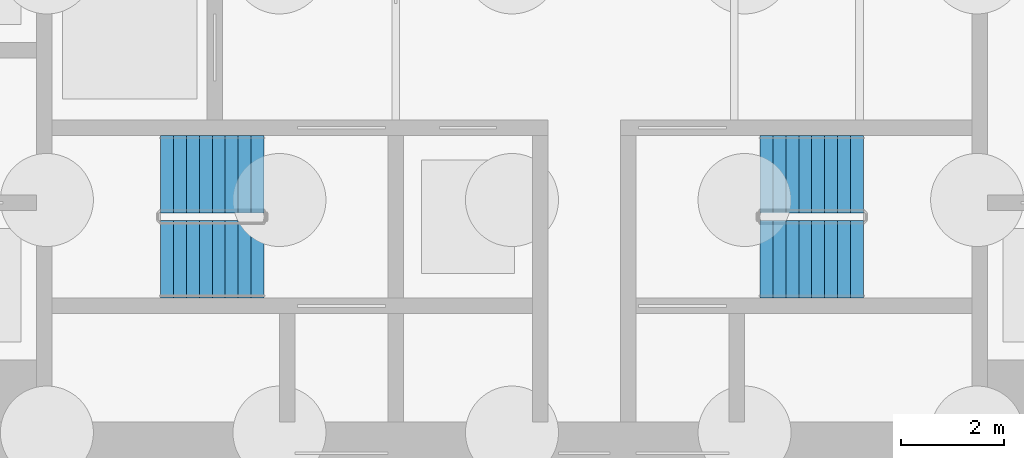
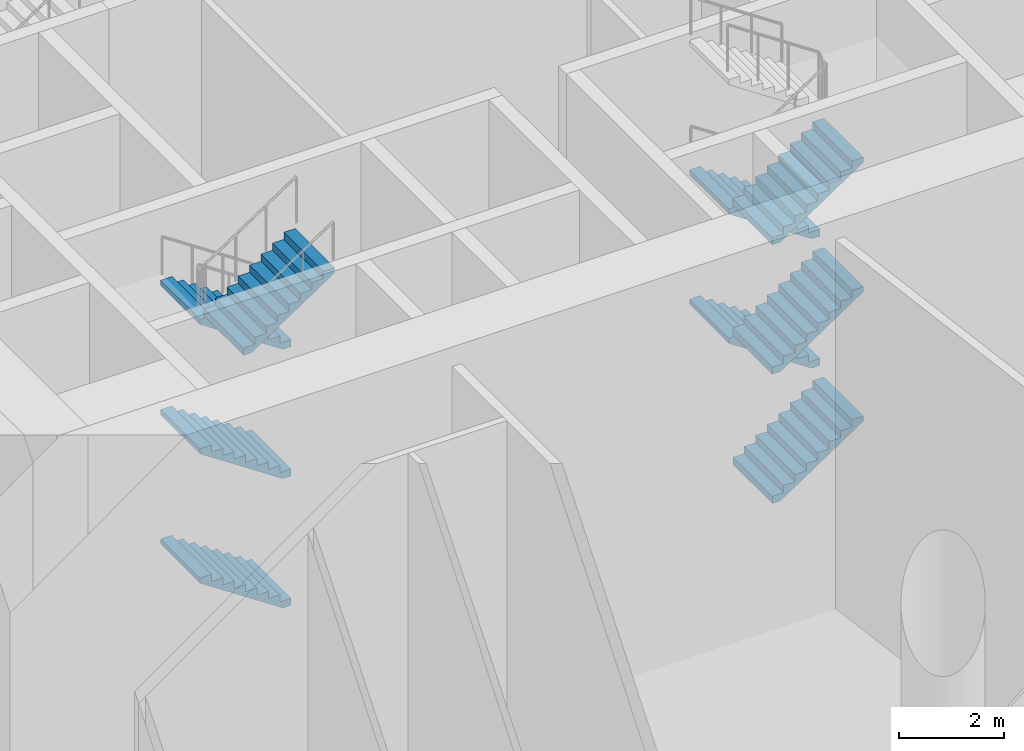
# One storey, part 16 of 20: 9 stair flights, 2 elements without a shape of their own.
"""IFC4 building model written with IfcOpenShell, lengths in metres."""

from ifc_helpers import new_model, si_unit, direction, frame, origin, place, context, subcontext, project, spatial, polyline, outline, extrude, material, type_object, element, aggregate, save


model = new_model("IFC4")

# Units and contexts
model_context = context("Model", 3, precision=1e-05, world=origin(), true_north=direction((0.0, 1.0)))
body_context = subcontext(model_context, "Body", "Model", "MODEL_VIEW")
ifc_project = project(units=[si_unit("LENGTHUNIT", "METRE"), si_unit("AREAUNIT", "SQUARE_METRE"), si_unit("VOLUMEUNIT", "CUBIC_METRE"), si_unit("PLANEANGLEUNIT", "RADIAN"), si_unit("MASSUNIT", "GRAM", prefix="KILO")], contexts=[model_context])

# Site, building, storey
site_placement = place(None, origin())
site = spatial("IfcSite", under=ifc_project, at=site_placement, CompositionType="ELEMENT")
building_placement = place(site_placement, origin())
building = spatial("IfcBuilding", under=site, at=building_placement, Name="Tracery Tower", CompositionType="ELEMENT")
storey_placement = place(building_placement, origin())
storey = spatial("IfcBuildingStorey", under=building, at=storey_placement, Name="L00", CompositionType="ELEMENT", Elevation=0.0)

# Stair, stair flights
ifc_material_1 = material(Name="Concrete C32/40", Category="concrete")
stair_type = type_object("IfcStairType", Name="Core stair 54 risers", PredefinedType="HALF_TURN_STAIR", material=ifc_material_1)
stair_1_placement = place(storey_placement, origin())
stair_1 = element("IfcStair", 1, at=stair_1_placement, inside=storey, type_object=stair_type, Name="L00 stair ST1", PredefinedType="HALF_TURN_STAIR")
ifc_material_2 = material(Name="Concrete C32/40", Category="concrete")
stair_flight_type = type_object("IfcStairFlightType", Name="Core stair flight 9 risers", PredefinedType="STRAIGHT", material=ifc_material_2)
stair_flight_1_placement = place(storey_placement, frame((-4.800048828125, -4.0, 0.0), z_axis=(0.0, 0.0, 1.0), x_axis=(-1.0, 0.0, 0.0)))
stair_flight_1 = element("IfcStairFlight", 2, at=stair_flight_1_placement, type_object=stair_flight_type, Name="ST1 flight 1", NumberOfRisers=9, NumberOfTreads=8, PredefinedType="STRAIGHT", RiserHeight=0.166666667, TreadLength=0.25, context=body_context, shape_type="SweptSolid", body=[
    extrude(outline(polyline([(0.0, 0.0), (0.0, 0.002685546875), (0.0, 0.00537109375), (0.0, 0.00830078125), (0.0, 0.010986328125), (0.0, 0.013671875), (0.0, 0.016357421875), (0.0, 0.01904296875), (0.0, 0.02197265625), (0.0, 0.024658203125), (0.0, 0.02734375), (0.0, 0.030029296875), (0.0, 0.03271484375), (0.0, 0.035400390625), (0.0, 0.038330078125), (0.0, 0.041015625), (0.0, 0.043701171875), (0.0, 0.04638671875), (0.0, 0.049072265625), (0.0, 0.052001953125), (0.0, 0.0546875), (0.0, 0.057373046875), (0.0, 0.06005859375), (0.0, 0.062744140625), (0.0, 0.065673828125), (0.0, 0.068359375), (0.0, 0.071044921875), (0.0, 0.07373046875), (0.0, 0.076416015625), (0.0, 0.079345703125), (0.0, 0.08203125), (0.0, 0.084716796875), (0.0, 0.08740234375), (0.0, 0.090087890625), (0.0, 0.093017578125), (0.0, 0.095703125), (0.0, 0.098388671875), (0.0, 0.10107421875), (0.0, 0.103759765625), (0.0, 0.1064453125), (0.0, 0.109375), (0.0, 0.112060546875), (0.0, 0.11474609375), (0.0, 0.117431640625), (0.0, 0.1201171875), (0.0, 0.123046875), (0.0, 0.125732421875), (0.0, 0.12841796875), (0.0, 0.131103515625), (0.0, 0.1337890625), (0.0, 0.13671875), (0.0, 0.139404296875), (0.0, 0.14208984375), (0.0, 0.144775390625), (0.0, 0.1474609375), (0.0, 0.150390625), (0.0, 0.153076171875), (0.0, 0.15576171875), (0.0, 0.158447265625), (0.0, 0.1611328125), (0.0, 0.163818359375), (0.0, 0.166748046875), (0.25, 0.166748046875), (0.25, 0.333251953125), (0.5, 0.333251953125), (0.5, 0.5), (0.75, 0.5), (0.75, 0.666748046875), (1.0, 0.666748046875), (1.0, 0.833251953125), (1.25, 0.833251953125), (1.25, 1.0), (1.5, 1.0), (1.5, 1.166748046875), (1.75, 1.166748046875), (1.75, 1.333251953125), (2.0, 1.333251953125), (2.0, 1.331298828125), (2.0, 1.329345703125), (2.0, 1.327392578125), (2.0, 1.325439453125), (2.0, 1.323486328125), (2.0, 1.321533203125), (2.0, 1.319580078125), (2.0, 1.317626953125), (2.0, 1.315673828125), (2.0, 1.313720703125), (2.0, 1.3115234375), (2.0, 1.3095703125), (2.0, 1.3076171875), (2.0, 1.3056640625), (2.0, 1.3037109375), (2.0, 1.3017578125), (2.0, 1.2998046875), (2.0, 1.2978515625), (2.0, 1.2958984375), (2.0, 1.2939453125), (2.0, 1.2919921875), (2.0, 1.2900390625), (2.0, 1.2880859375), (2.0, 1.285888671875), (2.0, 1.283935546875), (2.0, 1.281982421875), (2.0, 1.280029296875), (2.0, 1.278076171875), (2.0, 1.276123046875), (2.0, 1.274169921875), (2.0, 1.272216796875), (2.0, 1.270263671875), (2.0, 1.268310546875), (2.0, 1.266357421875), (2.0, 1.264404296875), (2.0, 1.262451171875), (2.0, 1.26025390625), (2.0, 1.25830078125), (2.0, 1.25634765625), (2.0, 1.25439453125), (2.0, 1.25244140625), (2.0, 1.25048828125), (2.0, 1.24853515625), (2.0, 1.24658203125), (2.0, 1.24462890625), (2.0, 1.24267578125), (2.0, 1.24072265625), (2.0, 1.23876953125), (2.0, 1.23681640625), (2.0, 1.234619140625), (2.0, 1.232666015625), (2.0, 1.230712890625), (2.0, 1.228759765625), (2.0, 1.226806640625), (2.0, 1.224853515625), (2.0, 1.222900390625), (2.0, 1.220947265625), (2.0, 1.218994140625), (2.0, 1.217041015625), (2.0, 1.215087890625), (2.0, 1.213134765625), (0.180419921875, 0.0), (0.0, 0.0)])), frame((0.0, 0.75, 0.0), z_axis=(0.0, -1.0, 0.0), x_axis=(1.0, 0.0, 0.0)), (0.0, 0.0, 1.0), 1.5),
])
stair_flight_2_placement = place(storey_placement, frame((-4.800048828125, -4.0, 3.0), z_axis=(0.0, 0.0, 1.0), x_axis=(-1.0, 0.0, 0.0)))
stair_flight_2 = element("IfcStairFlight", 3, at=stair_flight_2_placement, type_object=stair_flight_type, Name="ST1 flight 3", NumberOfRisers=9, NumberOfTreads=8, PredefinedType="STRAIGHT", RiserHeight=0.166666667, TreadLength=0.25, context=body_context, shape_type="SweptSolid", body=[
    extrude(outline(polyline([(0.0, 0.0), (0.0, 0.002685546875), (0.0, 0.00537109375), (0.0, 0.00830078125), (0.0, 0.010986328125), (0.0, 0.013671875), (0.0, 0.016357421875), (0.0, 0.01904296875), (0.0, 0.02197265625), (0.0, 0.024658203125), (0.0, 0.02734375), (0.0, 0.030029296875), (0.0, 0.03271484375), (0.0, 0.035400390625), (0.0, 0.038330078125), (0.0, 0.041015625), (0.0, 0.043701171875), (0.0, 0.04638671875), (0.0, 0.049072265625), (0.0, 0.052001953125), (0.0, 0.0546875), (0.0, 0.057373046875), (0.0, 0.06005859375), (0.0, 0.062744140625), (0.0, 0.065673828125), (0.0, 0.068359375), (0.0, 0.071044921875), (0.0, 0.07373046875), (0.0, 0.076416015625), (0.0, 0.079345703125), (0.0, 0.08203125), (0.0, 0.084716796875), (0.0, 0.08740234375), (0.0, 0.090087890625), (0.0, 0.093017578125), (0.0, 0.095703125), (0.0, 0.098388671875), (0.0, 0.10107421875), (0.0, 0.103759765625), (0.0, 0.1064453125), (0.0, 0.109375), (0.0, 0.112060546875), (0.0, 0.11474609375), (0.0, 0.117431640625), (0.0, 0.1201171875), (0.0, 0.123046875), (0.0, 0.125732421875), (0.0, 0.12841796875), (0.0, 0.131103515625), (0.0, 0.1337890625), (0.0, 0.13671875), (0.0, 0.139404296875), (0.0, 0.14208984375), (0.0, 0.144775390625), (0.0, 0.1474609375), (0.0, 0.150390625), (0.0, 0.153076171875), (0.0, 0.15576171875), (0.0, 0.158447265625), (0.0, 0.1611328125), (0.0, 0.163818359375), (0.0, 0.166748046875), (0.25, 0.166748046875), (0.25, 0.333251953125), (0.5, 0.333251953125), (0.5, 0.5), (0.75, 0.5), (0.75, 0.666748046875), (1.0, 0.666748046875), (1.0, 0.833251953125), (1.25, 0.833251953125), (1.25, 1.0), (1.5, 1.0), (1.5, 1.166748046875), (1.75, 1.166748046875), (1.75, 1.333251953125), (2.0, 1.333251953125), (2.0, 1.331298828125), (2.0, 1.329345703125), (2.0, 1.327392578125), (2.0, 1.325439453125), (2.0, 1.323486328125), (2.0, 1.321533203125), (2.0, 1.319580078125), (2.0, 1.317626953125), (2.0, 1.315673828125), (2.0, 1.313720703125), (2.0, 1.3115234375), (2.0, 1.3095703125), (2.0, 1.3076171875), (2.0, 1.3056640625), (2.0, 1.3037109375), (2.0, 1.3017578125), (2.0, 1.2998046875), (2.0, 1.2978515625), (2.0, 1.2958984375), (2.0, 1.2939453125), (2.0, 1.2919921875), (2.0, 1.2900390625), (2.0, 1.2880859375), (2.0, 1.285888671875), (2.0, 1.283935546875), (2.0, 1.281982421875), (2.0, 1.280029296875), (2.0, 1.278076171875), (2.0, 1.276123046875), (2.0, 1.274169921875), (2.0, 1.272216796875), (2.0, 1.270263671875), (2.0, 1.268310546875), (2.0, 1.266357421875), (2.0, 1.264404296875), (2.0, 1.262451171875), (2.0, 1.26025390625), (2.0, 1.25830078125), (2.0, 1.25634765625), (2.0, 1.25439453125), (2.0, 1.25244140625), (2.0, 1.25048828125), (2.0, 1.24853515625), (2.0, 1.24658203125), (2.0, 1.24462890625), (2.0, 1.24267578125), (2.0, 1.24072265625), (2.0, 1.23876953125), (2.0, 1.23681640625), (2.0, 1.234619140625), (2.0, 1.232666015625), (2.0, 1.230712890625), (2.0, 1.228759765625), (2.0, 1.226806640625), (2.0, 1.224853515625), (2.0, 1.222900390625), (2.0, 1.220947265625), (2.0, 1.218994140625), (2.0, 1.217041015625), (2.0, 1.215087890625), (2.0, 1.213134765625), (0.180419921875, 0.0), (0.0, 0.0)])), frame((0.0, 0.75, 0.0), z_axis=(0.0, -1.0, 0.0), x_axis=(1.0, 0.0, 0.0)), (0.0, 0.0, 1.0), 1.5),
])
stair_flight_3_placement = place(storey_placement, frame((-4.800048828125, -4.0, 6.0), z_axis=(0.0, 0.0, 1.0), x_axis=(-1.0, 0.0, 0.0)))
stair_flight_3 = element("IfcStairFlight", 4, at=stair_flight_3_placement, type_object=stair_flight_type, Name="ST1 flight 5", NumberOfRisers=9, NumberOfTreads=8, PredefinedType="STRAIGHT", RiserHeight=0.166666667, TreadLength=0.25, context=body_context, shape_type="SweptSolid", body=[
    extrude(outline(polyline([(0.0, 0.0), (0.0, 0.002685546875), (0.0, 0.00537109375), (0.0, 0.00830078125), (0.0, 0.010986328125), (0.0, 0.013671875), (0.0, 0.016357421875), (0.0, 0.01904296875), (0.0, 0.02197265625), (0.0, 0.024658203125), (0.0, 0.02734375), (0.0, 0.030029296875), (0.0, 0.03271484375), (0.0, 0.035400390625), (0.0, 0.038330078125), (0.0, 0.041015625), (0.0, 0.043701171875), (0.0, 0.04638671875), (0.0, 0.049072265625), (0.0, 0.052001953125), (0.0, 0.0546875), (0.0, 0.057373046875), (0.0, 0.06005859375), (0.0, 0.062744140625), (0.0, 0.065673828125), (0.0, 0.068359375), (0.0, 0.071044921875), (0.0, 0.07373046875), (0.0, 0.076416015625), (0.0, 0.079345703125), (0.0, 0.08203125), (0.0, 0.084716796875), (0.0, 0.08740234375), (0.0, 0.090087890625), (0.0, 0.093017578125), (0.0, 0.095703125), (0.0, 0.098388671875), (0.0, 0.10107421875), (0.0, 0.103759765625), (0.0, 0.1064453125), (0.0, 0.109375), (0.0, 0.112060546875), (0.0, 0.11474609375), (0.0, 0.117431640625), (0.0, 0.1201171875), (0.0, 0.123046875), (0.0, 0.125732421875), (0.0, 0.12841796875), (0.0, 0.131103515625), (0.0, 0.1337890625), (0.0, 0.13671875), (0.0, 0.139404296875), (0.0, 0.14208984375), (0.0, 0.144775390625), (0.0, 0.1474609375), (0.0, 0.150390625), (0.0, 0.153076171875), (0.0, 0.15576171875), (0.0, 0.158447265625), (0.0, 0.1611328125), (0.0, 0.163818359375), (0.0, 0.166748046875), (0.25, 0.166748046875), (0.25, 0.333251953125), (0.5, 0.333251953125), (0.5, 0.5), (0.75, 0.5), (0.75, 0.666748046875), (1.0, 0.666748046875), (1.0, 0.833251953125), (1.25, 0.833251953125), (1.25, 1.0), (1.5, 1.0), (1.5, 1.166748046875), (1.75, 1.166748046875), (1.75, 1.333251953125), (2.0, 1.333251953125), (2.0, 1.331298828125), (2.0, 1.329345703125), (2.0, 1.327392578125), (2.0, 1.325439453125), (2.0, 1.323486328125), (2.0, 1.321533203125), (2.0, 1.319580078125), (2.0, 1.317626953125), (2.0, 1.315673828125), (2.0, 1.313720703125), (2.0, 1.3115234375), (2.0, 1.3095703125), (2.0, 1.3076171875), (2.0, 1.3056640625), (2.0, 1.3037109375), (2.0, 1.3017578125), (2.0, 1.2998046875), (2.0, 1.2978515625), (2.0, 1.2958984375), (2.0, 1.2939453125), (2.0, 1.2919921875), (2.0, 1.2900390625), (2.0, 1.2880859375), (2.0, 1.285888671875), (2.0, 1.283935546875), (2.0, 1.281982421875), (2.0, 1.280029296875), (2.0, 1.278076171875), (2.0, 1.276123046875), (2.0, 1.274169921875), (2.0, 1.272216796875), (2.0, 1.270263671875), (2.0, 1.268310546875), (2.0, 1.266357421875), (2.0, 1.264404296875), (2.0, 1.262451171875), (2.0, 1.26025390625), (2.0, 1.25830078125), (2.0, 1.25634765625), (2.0, 1.25439453125), (2.0, 1.25244140625), (2.0, 1.25048828125), (2.0, 1.24853515625), (2.0, 1.24658203125), (2.0, 1.24462890625), (2.0, 1.24267578125), (2.0, 1.24072265625), (2.0, 1.23876953125), (2.0, 1.23681640625), (2.0, 1.234619140625), (2.0, 1.232666015625), (2.0, 1.230712890625), (2.0, 1.228759765625), (2.0, 1.226806640625), (2.0, 1.224853515625), (2.0, 1.222900390625), (2.0, 1.220947265625), (2.0, 1.218994140625), (2.0, 1.217041015625), (2.0, 1.215087890625), (2.0, 1.213134765625), (0.180419921875, 0.0), (0.0, 0.0)])), frame((0.0, 0.75, 0.0), z_axis=(0.0, -1.0, 0.0), x_axis=(1.0, 0.0, 0.0)), (0.0, 0.0, 1.0), 1.5),
])
stair_flight_4_placement = place(storey_placement, frame((-6.800048828125, -5.64990234375, 7.5), z_axis=(0.0, 0.0, 1.0), x_axis=(1.0, 0.0, 0.0)))
stair_flight_4 = element("IfcStairFlight", 5, at=stair_flight_4_placement, type_object=stair_flight_type, Name="ST1 flight 6", NumberOfRisers=9, NumberOfTreads=8, PredefinedType="STRAIGHT", RiserHeight=0.166666667, TreadLength=0.25, context=body_context, shape_type="SweptSolid", body=[
    extrude(outline(polyline([(0.0, 0.0), (0.0, 0.002685546875), (0.0, 0.00537109375), (0.0, 0.00830078125), (0.0, 0.010986328125), (0.0, 0.013671875), (0.0, 0.016357421875), (0.0, 0.01904296875), (0.0, 0.02197265625), (0.0, 0.024658203125), (0.0, 0.02734375), (0.0, 0.030029296875), (0.0, 0.03271484375), (0.0, 0.035400390625), (0.0, 0.038330078125), (0.0, 0.041015625), (0.0, 0.043701171875), (0.0, 0.04638671875), (0.0, 0.049072265625), (0.0, 0.052001953125), (0.0, 0.0546875), (0.0, 0.057373046875), (0.0, 0.06005859375), (0.0, 0.062744140625), (0.0, 0.065673828125), (0.0, 0.068359375), (0.0, 0.071044921875), (0.0, 0.07373046875), (0.0, 0.076416015625), (0.0, 0.079345703125), (0.0, 0.08203125), (0.0, 0.084716796875), (0.0, 0.08740234375), (0.0, 0.090087890625), (0.0, 0.093017578125), (0.0, 0.095703125), (0.0, 0.098388671875), (0.0, 0.10107421875), (0.0, 0.103759765625), (0.0, 0.1064453125), (0.0, 0.109375), (0.0, 0.112060546875), (0.0, 0.11474609375), (0.0, 0.117431640625), (0.0, 0.1201171875), (0.0, 0.123046875), (0.0, 0.125732421875), (0.0, 0.12841796875), (0.0, 0.131103515625), (0.0, 0.1337890625), (0.0, 0.13671875), (0.0, 0.139404296875), (0.0, 0.14208984375), (0.0, 0.144775390625), (0.0, 0.1474609375), (0.0, 0.150390625), (0.0, 0.153076171875), (0.0, 0.15576171875), (0.0, 0.158447265625), (0.0, 0.1611328125), (0.0, 0.163818359375), (0.0, 0.166748046875), (0.25, 0.166748046875), (0.25, 0.333251953125), (0.5, 0.333251953125), (0.5, 0.5), (0.75, 0.5), (0.75, 0.666748046875), (1.0, 0.666748046875), (1.0, 0.833251953125), (1.25, 0.833251953125), (1.25, 1.0), (1.5, 1.0), (1.5, 1.166748046875), (1.75, 1.166748046875), (1.75, 1.333251953125), (2.0, 1.333251953125), (2.0, 1.331298828125), (2.0, 1.329345703125), (2.0, 1.327392578125), (2.0, 1.325439453125), (2.0, 1.323486328125), (2.0, 1.321533203125), (2.0, 1.319580078125), (2.0, 1.317626953125), (2.0, 1.315673828125), (2.0, 1.313720703125), (2.0, 1.3115234375), (2.0, 1.3095703125), (2.0, 1.3076171875), (2.0, 1.3056640625), (2.0, 1.3037109375), (2.0, 1.3017578125), (2.0, 1.2998046875), (2.0, 1.2978515625), (2.0, 1.2958984375), (2.0, 1.2939453125), (2.0, 1.2919921875), (2.0, 1.2900390625), (2.0, 1.2880859375), (2.0, 1.285888671875), (2.0, 1.283935546875), (2.0, 1.281982421875), (2.0, 1.280029296875), (2.0, 1.278076171875), (2.0, 1.276123046875), (2.0, 1.274169921875), (2.0, 1.272216796875), (2.0, 1.270263671875), (2.0, 1.268310546875), (2.0, 1.266357421875), (2.0, 1.264404296875), (2.0, 1.262451171875), (2.0, 1.26025390625), (2.0, 1.25830078125), (2.0, 1.25634765625), (2.0, 1.25439453125), (2.0, 1.25244140625), (2.0, 1.25048828125), (2.0, 1.24853515625), (2.0, 1.24658203125), (2.0, 1.24462890625), (2.0, 1.24267578125), (2.0, 1.24072265625), (2.0, 1.23876953125), (2.0, 1.23681640625), (2.0, 1.234619140625), (2.0, 1.232666015625), (2.0, 1.230712890625), (2.0, 1.228759765625), (2.0, 1.226806640625), (2.0, 1.224853515625), (2.0, 1.222900390625), (2.0, 1.220947265625), (2.0, 1.218994140625), (2.0, 1.217041015625), (2.0, 1.215087890625), (2.0, 1.213134765625), (0.180419921875, 0.0), (0.0, 0.0)])), frame((0.0, 0.75, 0.0), z_axis=(0.0, -1.0, 0.0), x_axis=(1.0, 0.0, 0.0)), (0.0, 0.0, 1.0), 1.5),
])
aggregate(stair_1, [stair_flight_1, stair_flight_2, stair_flight_3, stair_flight_4])

stair_2_placement = place(storey_placement, origin())
stair_2 = element("IfcStair", 6, at=stair_2_placement, inside=storey, type_object=stair_type, Name="L00 stair ST2", PredefinedType="HALF_TURN_STAIR")
stair_flight_5_placement = place(storey_placement, frame((4.800048828125, -5.64990234375, 0.0), z_axis=(0.0, 0.0, 1.0), x_axis=(1.0, 0.0, 0.0)))
stair_flight_5 = element("IfcStairFlight", 7, at=stair_flight_5_placement, type_object=stair_flight_type, Name="ST2 flight 1", NumberOfRisers=9, NumberOfTreads=8, PredefinedType="STRAIGHT", RiserHeight=0.166666667, TreadLength=0.25, context=body_context, shape_type="SweptSolid", body=[
    extrude(outline(polyline([(0.0, 0.0), (0.0, 0.002685546875), (0.0, 0.00537109375), (0.0, 0.00830078125), (0.0, 0.010986328125), (0.0, 0.013671875), (0.0, 0.016357421875), (0.0, 0.01904296875), (0.0, 0.02197265625), (0.0, 0.024658203125), (0.0, 0.02734375), (0.0, 0.030029296875), (0.0, 0.03271484375), (0.0, 0.035400390625), (0.0, 0.038330078125), (0.0, 0.041015625), (0.0, 0.043701171875), (0.0, 0.04638671875), (0.0, 0.049072265625), (0.0, 0.052001953125), (0.0, 0.0546875), (0.0, 0.057373046875), (0.0, 0.06005859375), (0.0, 0.062744140625), (0.0, 0.065673828125), (0.0, 0.068359375), (0.0, 0.071044921875), (0.0, 0.07373046875), (0.0, 0.076416015625), (0.0, 0.079345703125), (0.0, 0.08203125), (0.0, 0.084716796875), (0.0, 0.08740234375), (0.0, 0.090087890625), (0.0, 0.093017578125), (0.0, 0.095703125), (0.0, 0.098388671875), (0.0, 0.10107421875), (0.0, 0.103759765625), (0.0, 0.1064453125), (0.0, 0.109375), (0.0, 0.112060546875), (0.0, 0.11474609375), (0.0, 0.117431640625), (0.0, 0.1201171875), (0.0, 0.123046875), (0.0, 0.125732421875), (0.0, 0.12841796875), (0.0, 0.131103515625), (0.0, 0.1337890625), (0.0, 0.13671875), (0.0, 0.139404296875), (0.0, 0.14208984375), (0.0, 0.144775390625), (0.0, 0.1474609375), (0.0, 0.150390625), (0.0, 0.153076171875), (0.0, 0.15576171875), (0.0, 0.158447265625), (0.0, 0.1611328125), (0.0, 0.163818359375), (0.0, 0.166748046875), (0.25, 0.166748046875), (0.25, 0.333251953125), (0.5, 0.333251953125), (0.5, 0.5), (0.75, 0.5), (0.75, 0.666748046875), (1.0, 0.666748046875), (1.0, 0.833251953125), (1.25, 0.833251953125), (1.25, 1.0), (1.5, 1.0), (1.5, 1.166748046875), (1.75, 1.166748046875), (1.75, 1.333251953125), (2.0, 1.333251953125), (2.0, 1.331298828125), (2.0, 1.329345703125), (2.0, 1.327392578125), (2.0, 1.325439453125), (2.0, 1.323486328125), (2.0, 1.321533203125), (2.0, 1.319580078125), (2.0, 1.317626953125), (2.0, 1.315673828125), (2.0, 1.313720703125), (2.0, 1.3115234375), (2.0, 1.3095703125), (2.0, 1.3076171875), (2.0, 1.3056640625), (2.0, 1.3037109375), (2.0, 1.3017578125), (2.0, 1.2998046875), (2.0, 1.2978515625), (2.0, 1.2958984375), (2.0, 1.2939453125), (2.0, 1.2919921875), (2.0, 1.2900390625), (2.0, 1.2880859375), (2.0, 1.285888671875), (2.0, 1.283935546875), (2.0, 1.281982421875), (2.0, 1.280029296875), (2.0, 1.278076171875), (2.0, 1.276123046875), (2.0, 1.274169921875), (2.0, 1.272216796875), (2.0, 1.270263671875), (2.0, 1.268310546875), (2.0, 1.266357421875), (2.0, 1.264404296875), (2.0, 1.262451171875), (2.0, 1.26025390625), (2.0, 1.25830078125), (2.0, 1.25634765625), (2.0, 1.25439453125), (2.0, 1.25244140625), (2.0, 1.25048828125), (2.0, 1.24853515625), (2.0, 1.24658203125), (2.0, 1.24462890625), (2.0, 1.24267578125), (2.0, 1.24072265625), (2.0, 1.23876953125), (2.0, 1.23681640625), (2.0, 1.234619140625), (2.0, 1.232666015625), (2.0, 1.230712890625), (2.0, 1.228759765625), (2.0, 1.226806640625), (2.0, 1.224853515625), (2.0, 1.222900390625), (2.0, 1.220947265625), (2.0, 1.218994140625), (2.0, 1.217041015625), (2.0, 1.215087890625), (2.0, 1.213134765625), (0.180419921875, 0.0), (0.0, 0.0)])), frame((0.0, 0.75, 0.0), z_axis=(0.0, -1.0, 0.0), x_axis=(1.0, 0.0, 0.0)), (0.0, 0.0, 1.0), 1.5),
])
stair_flight_6_placement = place(storey_placement, frame((6.800048828125, -4.0, 1.5), z_axis=(0.0, 0.0, 1.0), x_axis=(-1.0, 0.0, 0.0)))
stair_flight_6 = element("IfcStairFlight", 8, at=stair_flight_6_placement, type_object=stair_flight_type, Name="ST2 flight 2", NumberOfRisers=9, NumberOfTreads=8, PredefinedType="STRAIGHT", RiserHeight=0.166666667, TreadLength=0.25, context=body_context, shape_type="SweptSolid", body=[
    extrude(outline(polyline([(0.0, 0.0), (0.0, 0.002685546875), (0.0, 0.00537109375), (0.0, 0.00830078125), (0.0, 0.010986328125), (0.0, 0.013671875), (0.0, 0.016357421875), (0.0, 0.01904296875), (0.0, 0.02197265625), (0.0, 0.024658203125), (0.0, 0.02734375), (0.0, 0.030029296875), (0.0, 0.03271484375), (0.0, 0.035400390625), (0.0, 0.038330078125), (0.0, 0.041015625), (0.0, 0.043701171875), (0.0, 0.04638671875), (0.0, 0.049072265625), (0.0, 0.052001953125), (0.0, 0.0546875), (0.0, 0.057373046875), (0.0, 0.06005859375), (0.0, 0.062744140625), (0.0, 0.065673828125), (0.0, 0.068359375), (0.0, 0.071044921875), (0.0, 0.07373046875), (0.0, 0.076416015625), (0.0, 0.079345703125), (0.0, 0.08203125), (0.0, 0.084716796875), (0.0, 0.08740234375), (0.0, 0.090087890625), (0.0, 0.093017578125), (0.0, 0.095703125), (0.0, 0.098388671875), (0.0, 0.10107421875), (0.0, 0.103759765625), (0.0, 0.1064453125), (0.0, 0.109375), (0.0, 0.112060546875), (0.0, 0.11474609375), (0.0, 0.117431640625), (0.0, 0.1201171875), (0.0, 0.123046875), (0.0, 0.125732421875), (0.0, 0.12841796875), (0.0, 0.131103515625), (0.0, 0.1337890625), (0.0, 0.13671875), (0.0, 0.139404296875), (0.0, 0.14208984375), (0.0, 0.144775390625), (0.0, 0.1474609375), (0.0, 0.150390625), (0.0, 0.153076171875), (0.0, 0.15576171875), (0.0, 0.158447265625), (0.0, 0.1611328125), (0.0, 0.163818359375), (0.0, 0.166748046875), (0.25, 0.166748046875), (0.25, 0.333251953125), (0.5, 0.333251953125), (0.5, 0.5), (0.75, 0.5), (0.75, 0.666748046875), (1.0, 0.666748046875), (1.0, 0.833251953125), (1.25, 0.833251953125), (1.25, 1.0), (1.5, 1.0), (1.5, 1.166748046875), (1.75, 1.166748046875), (1.75, 1.333251953125), (2.0, 1.333251953125), (2.0, 1.331298828125), (2.0, 1.329345703125), (2.0, 1.327392578125), (2.0, 1.325439453125), (2.0, 1.323486328125), (2.0, 1.321533203125), (2.0, 1.319580078125), (2.0, 1.317626953125), (2.0, 1.315673828125), (2.0, 1.313720703125), (2.0, 1.3115234375), (2.0, 1.3095703125), (2.0, 1.3076171875), (2.0, 1.3056640625), (2.0, 1.3037109375), (2.0, 1.3017578125), (2.0, 1.2998046875), (2.0, 1.2978515625), (2.0, 1.2958984375), (2.0, 1.2939453125), (2.0, 1.2919921875), (2.0, 1.2900390625), (2.0, 1.2880859375), (2.0, 1.285888671875), (2.0, 1.283935546875), (2.0, 1.281982421875), (2.0, 1.280029296875), (2.0, 1.278076171875), (2.0, 1.276123046875), (2.0, 1.274169921875), (2.0, 1.272216796875), (2.0, 1.270263671875), (2.0, 1.268310546875), (2.0, 1.266357421875), (2.0, 1.264404296875), (2.0, 1.262451171875), (2.0, 1.26025390625), (2.0, 1.25830078125), (2.0, 1.25634765625), (2.0, 1.25439453125), (2.0, 1.25244140625), (2.0, 1.25048828125), (2.0, 1.24853515625), (2.0, 1.24658203125), (2.0, 1.24462890625), (2.0, 1.24267578125), (2.0, 1.24072265625), (2.0, 1.23876953125), (2.0, 1.23681640625), (2.0, 1.234619140625), (2.0, 1.232666015625), (2.0, 1.230712890625), (2.0, 1.228759765625), (2.0, 1.226806640625), (2.0, 1.224853515625), (2.0, 1.222900390625), (2.0, 1.220947265625), (2.0, 1.218994140625), (2.0, 1.217041015625), (2.0, 1.215087890625), (2.0, 1.213134765625), (0.180419921875, 0.0), (0.0, 0.0)])), frame((0.0, 0.75, 0.0), z_axis=(0.0, -1.0, 0.0), x_axis=(1.0, 0.0, 0.0)), (0.0, 0.0, 1.0), 1.5),
])
stair_flight_7_placement = place(storey_placement, frame((4.800048828125, -5.64990234375, 3.0), z_axis=(0.0, 0.0, 1.0), x_axis=(1.0, 0.0, 0.0)))
stair_flight_7 = element("IfcStairFlight", 9, at=stair_flight_7_placement, type_object=stair_flight_type, Name="ST2 flight 3", NumberOfRisers=9, NumberOfTreads=8, PredefinedType="STRAIGHT", RiserHeight=0.166666667, TreadLength=0.25, context=body_context, shape_type="SweptSolid", body=[
    extrude(outline(polyline([(0.0, 0.0), (0.0, 0.002685546875), (0.0, 0.00537109375), (0.0, 0.00830078125), (0.0, 0.010986328125), (0.0, 0.013671875), (0.0, 0.016357421875), (0.0, 0.01904296875), (0.0, 0.02197265625), (0.0, 0.024658203125), (0.0, 0.02734375), (0.0, 0.030029296875), (0.0, 0.03271484375), (0.0, 0.035400390625), (0.0, 0.038330078125), (0.0, 0.041015625), (0.0, 0.043701171875), (0.0, 0.04638671875), (0.0, 0.049072265625), (0.0, 0.052001953125), (0.0, 0.0546875), (0.0, 0.057373046875), (0.0, 0.06005859375), (0.0, 0.062744140625), (0.0, 0.065673828125), (0.0, 0.068359375), (0.0, 0.071044921875), (0.0, 0.07373046875), (0.0, 0.076416015625), (0.0, 0.079345703125), (0.0, 0.08203125), (0.0, 0.084716796875), (0.0, 0.08740234375), (0.0, 0.090087890625), (0.0, 0.093017578125), (0.0, 0.095703125), (0.0, 0.098388671875), (0.0, 0.10107421875), (0.0, 0.103759765625), (0.0, 0.1064453125), (0.0, 0.109375), (0.0, 0.112060546875), (0.0, 0.11474609375), (0.0, 0.117431640625), (0.0, 0.1201171875), (0.0, 0.123046875), (0.0, 0.125732421875), (0.0, 0.12841796875), (0.0, 0.131103515625), (0.0, 0.1337890625), (0.0, 0.13671875), (0.0, 0.139404296875), (0.0, 0.14208984375), (0.0, 0.144775390625), (0.0, 0.1474609375), (0.0, 0.150390625), (0.0, 0.153076171875), (0.0, 0.15576171875), (0.0, 0.158447265625), (0.0, 0.1611328125), (0.0, 0.163818359375), (0.0, 0.166748046875), (0.25, 0.166748046875), (0.25, 0.333251953125), (0.5, 0.333251953125), (0.5, 0.5), (0.75, 0.5), (0.75, 0.666748046875), (1.0, 0.666748046875), (1.0, 0.833251953125), (1.25, 0.833251953125), (1.25, 1.0), (1.5, 1.0), (1.5, 1.166748046875), (1.75, 1.166748046875), (1.75, 1.333251953125), (2.0, 1.333251953125), (2.0, 1.331298828125), (2.0, 1.329345703125), (2.0, 1.327392578125), (2.0, 1.325439453125), (2.0, 1.323486328125), (2.0, 1.321533203125), (2.0, 1.319580078125), (2.0, 1.317626953125), (2.0, 1.315673828125), (2.0, 1.313720703125), (2.0, 1.3115234375), (2.0, 1.3095703125), (2.0, 1.3076171875), (2.0, 1.3056640625), (2.0, 1.3037109375), (2.0, 1.3017578125), (2.0, 1.2998046875), (2.0, 1.2978515625), (2.0, 1.2958984375), (2.0, 1.2939453125), (2.0, 1.2919921875), (2.0, 1.2900390625), (2.0, 1.2880859375), (2.0, 1.285888671875), (2.0, 1.283935546875), (2.0, 1.281982421875), (2.0, 1.280029296875), (2.0, 1.278076171875), (2.0, 1.276123046875), (2.0, 1.274169921875), (2.0, 1.272216796875), (2.0, 1.270263671875), (2.0, 1.268310546875), (2.0, 1.266357421875), (2.0, 1.264404296875), (2.0, 1.262451171875), (2.0, 1.26025390625), (2.0, 1.25830078125), (2.0, 1.25634765625), (2.0, 1.25439453125), (2.0, 1.25244140625), (2.0, 1.25048828125), (2.0, 1.24853515625), (2.0, 1.24658203125), (2.0, 1.24462890625), (2.0, 1.24267578125), (2.0, 1.24072265625), (2.0, 1.23876953125), (2.0, 1.23681640625), (2.0, 1.234619140625), (2.0, 1.232666015625), (2.0, 1.230712890625), (2.0, 1.228759765625), (2.0, 1.226806640625), (2.0, 1.224853515625), (2.0, 1.222900390625), (2.0, 1.220947265625), (2.0, 1.218994140625), (2.0, 1.217041015625), (2.0, 1.215087890625), (2.0, 1.213134765625), (0.180419921875, 0.0), (0.0, 0.0)])), frame((0.0, 0.75, 0.0), z_axis=(0.0, -1.0, 0.0), x_axis=(1.0, 0.0, 0.0)), (0.0, 0.0, 1.0), 1.5),
])
stair_flight_8_placement = place(storey_placement, frame((6.800048828125, -4.0, 4.5), z_axis=(0.0, 0.0, 1.0), x_axis=(-1.0, 0.0, 0.0)))
stair_flight_8 = element("IfcStairFlight", 10, at=stair_flight_8_placement, type_object=stair_flight_type, Name="ST2 flight 4", NumberOfRisers=9, NumberOfTreads=8, PredefinedType="STRAIGHT", RiserHeight=0.166666667, TreadLength=0.25, context=body_context, shape_type="SweptSolid", body=[
    extrude(outline(polyline([(0.0, 0.0), (0.0, 0.002685546875), (0.0, 0.00537109375), (0.0, 0.00830078125), (0.0, 0.010986328125), (0.0, 0.013671875), (0.0, 0.016357421875), (0.0, 0.01904296875), (0.0, 0.02197265625), (0.0, 0.024658203125), (0.0, 0.02734375), (0.0, 0.030029296875), (0.0, 0.03271484375), (0.0, 0.035400390625), (0.0, 0.038330078125), (0.0, 0.041015625), (0.0, 0.043701171875), (0.0, 0.04638671875), (0.0, 0.049072265625), (0.0, 0.052001953125), (0.0, 0.0546875), (0.0, 0.057373046875), (0.0, 0.06005859375), (0.0, 0.062744140625), (0.0, 0.065673828125), (0.0, 0.068359375), (0.0, 0.071044921875), (0.0, 0.07373046875), (0.0, 0.076416015625), (0.0, 0.079345703125), (0.0, 0.08203125), (0.0, 0.084716796875), (0.0, 0.08740234375), (0.0, 0.090087890625), (0.0, 0.093017578125), (0.0, 0.095703125), (0.0, 0.098388671875), (0.0, 0.10107421875), (0.0, 0.103759765625), (0.0, 0.1064453125), (0.0, 0.109375), (0.0, 0.112060546875), (0.0, 0.11474609375), (0.0, 0.117431640625), (0.0, 0.1201171875), (0.0, 0.123046875), (0.0, 0.125732421875), (0.0, 0.12841796875), (0.0, 0.131103515625), (0.0, 0.1337890625), (0.0, 0.13671875), (0.0, 0.139404296875), (0.0, 0.14208984375), (0.0, 0.144775390625), (0.0, 0.1474609375), (0.0, 0.150390625), (0.0, 0.153076171875), (0.0, 0.15576171875), (0.0, 0.158447265625), (0.0, 0.1611328125), (0.0, 0.163818359375), (0.0, 0.166748046875), (0.25, 0.166748046875), (0.25, 0.333251953125), (0.5, 0.333251953125), (0.5, 0.5), (0.75, 0.5), (0.75, 0.666748046875), (1.0, 0.666748046875), (1.0, 0.833251953125), (1.25, 0.833251953125), (1.25, 1.0), (1.5, 1.0), (1.5, 1.166748046875), (1.75, 1.166748046875), (1.75, 1.333251953125), (2.0, 1.333251953125), (2.0, 1.331298828125), (2.0, 1.329345703125), (2.0, 1.327392578125), (2.0, 1.325439453125), (2.0, 1.323486328125), (2.0, 1.321533203125), (2.0, 1.319580078125), (2.0, 1.317626953125), (2.0, 1.315673828125), (2.0, 1.313720703125), (2.0, 1.3115234375), (2.0, 1.3095703125), (2.0, 1.3076171875), (2.0, 1.3056640625), (2.0, 1.3037109375), (2.0, 1.3017578125), (2.0, 1.2998046875), (2.0, 1.2978515625), (2.0, 1.2958984375), (2.0, 1.2939453125), (2.0, 1.2919921875), (2.0, 1.2900390625), (2.0, 1.2880859375), (2.0, 1.285888671875), (2.0, 1.283935546875), (2.0, 1.281982421875), (2.0, 1.280029296875), (2.0, 1.278076171875), (2.0, 1.276123046875), (2.0, 1.274169921875), (2.0, 1.272216796875), (2.0, 1.270263671875), (2.0, 1.268310546875), (2.0, 1.266357421875), (2.0, 1.264404296875), (2.0, 1.262451171875), (2.0, 1.26025390625), (2.0, 1.25830078125), (2.0, 1.25634765625), (2.0, 1.25439453125), (2.0, 1.25244140625), (2.0, 1.25048828125), (2.0, 1.24853515625), (2.0, 1.24658203125), (2.0, 1.24462890625), (2.0, 1.24267578125), (2.0, 1.24072265625), (2.0, 1.23876953125), (2.0, 1.23681640625), (2.0, 1.234619140625), (2.0, 1.232666015625), (2.0, 1.230712890625), (2.0, 1.228759765625), (2.0, 1.226806640625), (2.0, 1.224853515625), (2.0, 1.222900390625), (2.0, 1.220947265625), (2.0, 1.218994140625), (2.0, 1.217041015625), (2.0, 1.215087890625), (2.0, 1.213134765625), (0.180419921875, 0.0), (0.0, 0.0)])), frame((0.0, 0.75, 0.0), z_axis=(0.0, -1.0, 0.0), x_axis=(1.0, 0.0, 0.0)), (0.0, 0.0, 1.0), 1.5),
])
stair_flight_9_placement = place(storey_placement, frame((4.800048828125, -5.64990234375, 6.0), z_axis=(0.0, 0.0, 1.0), x_axis=(1.0, 0.0, 0.0)))
stair_flight_9 = element("IfcStairFlight", 11, at=stair_flight_9_placement, type_object=stair_flight_type, Name="ST2 flight 5", NumberOfRisers=9, NumberOfTreads=8, PredefinedType="STRAIGHT", RiserHeight=0.166666667, TreadLength=0.25, context=body_context, shape_type="SweptSolid", body=[
    extrude(outline(polyline([(0.0, 0.0), (0.0, 0.002685546875), (0.0, 0.00537109375), (0.0, 0.00830078125), (0.0, 0.010986328125), (0.0, 0.013671875), (0.0, 0.016357421875), (0.0, 0.01904296875), (0.0, 0.02197265625), (0.0, 0.024658203125), (0.0, 0.02734375), (0.0, 0.030029296875), (0.0, 0.03271484375), (0.0, 0.035400390625), (0.0, 0.038330078125), (0.0, 0.041015625), (0.0, 0.043701171875), (0.0, 0.04638671875), (0.0, 0.049072265625), (0.0, 0.052001953125), (0.0, 0.0546875), (0.0, 0.057373046875), (0.0, 0.06005859375), (0.0, 0.062744140625), (0.0, 0.065673828125), (0.0, 0.068359375), (0.0, 0.071044921875), (0.0, 0.07373046875), (0.0, 0.076416015625), (0.0, 0.079345703125), (0.0, 0.08203125), (0.0, 0.084716796875), (0.0, 0.08740234375), (0.0, 0.090087890625), (0.0, 0.093017578125), (0.0, 0.095703125), (0.0, 0.098388671875), (0.0, 0.10107421875), (0.0, 0.103759765625), (0.0, 0.1064453125), (0.0, 0.109375), (0.0, 0.112060546875), (0.0, 0.11474609375), (0.0, 0.117431640625), (0.0, 0.1201171875), (0.0, 0.123046875), (0.0, 0.125732421875), (0.0, 0.12841796875), (0.0, 0.131103515625), (0.0, 0.1337890625), (0.0, 0.13671875), (0.0, 0.139404296875), (0.0, 0.14208984375), (0.0, 0.144775390625), (0.0, 0.1474609375), (0.0, 0.150390625), (0.0, 0.153076171875), (0.0, 0.15576171875), (0.0, 0.158447265625), (0.0, 0.1611328125), (0.0, 0.163818359375), (0.0, 0.166748046875), (0.25, 0.166748046875), (0.25, 0.333251953125), (0.5, 0.333251953125), (0.5, 0.5), (0.75, 0.5), (0.75, 0.666748046875), (1.0, 0.666748046875), (1.0, 0.833251953125), (1.25, 0.833251953125), (1.25, 1.0), (1.5, 1.0), (1.5, 1.166748046875), (1.75, 1.166748046875), (1.75, 1.333251953125), (2.0, 1.333251953125), (2.0, 1.331298828125), (2.0, 1.329345703125), (2.0, 1.327392578125), (2.0, 1.325439453125), (2.0, 1.323486328125), (2.0, 1.321533203125), (2.0, 1.319580078125), (2.0, 1.317626953125), (2.0, 1.315673828125), (2.0, 1.313720703125), (2.0, 1.3115234375), (2.0, 1.3095703125), (2.0, 1.3076171875), (2.0, 1.3056640625), (2.0, 1.3037109375), (2.0, 1.3017578125), (2.0, 1.2998046875), (2.0, 1.2978515625), (2.0, 1.2958984375), (2.0, 1.2939453125), (2.0, 1.2919921875), (2.0, 1.2900390625), (2.0, 1.2880859375), (2.0, 1.285888671875), (2.0, 1.283935546875), (2.0, 1.281982421875), (2.0, 1.280029296875), (2.0, 1.278076171875), (2.0, 1.276123046875), (2.0, 1.274169921875), (2.0, 1.272216796875), (2.0, 1.270263671875), (2.0, 1.268310546875), (2.0, 1.266357421875), (2.0, 1.264404296875), (2.0, 1.262451171875), (2.0, 1.26025390625), (2.0, 1.25830078125), (2.0, 1.25634765625), (2.0, 1.25439453125), (2.0, 1.25244140625), (2.0, 1.25048828125), (2.0, 1.24853515625), (2.0, 1.24658203125), (2.0, 1.24462890625), (2.0, 1.24267578125), (2.0, 1.24072265625), (2.0, 1.23876953125), (2.0, 1.23681640625), (2.0, 1.234619140625), (2.0, 1.232666015625), (2.0, 1.230712890625), (2.0, 1.228759765625), (2.0, 1.226806640625), (2.0, 1.224853515625), (2.0, 1.222900390625), (2.0, 1.220947265625), (2.0, 1.218994140625), (2.0, 1.217041015625), (2.0, 1.215087890625), (2.0, 1.213134765625), (0.180419921875, 0.0), (0.0, 0.0)])), frame((0.0, 0.75, 0.0), z_axis=(0.0, -1.0, 0.0), x_axis=(1.0, 0.0, 0.0)), (0.0, 0.0, 1.0), 1.5),
])
aggregate(stair_2, [stair_flight_5, stair_flight_6, stair_flight_7, stair_flight_8, stair_flight_9])

save(model, "model.ifc")
